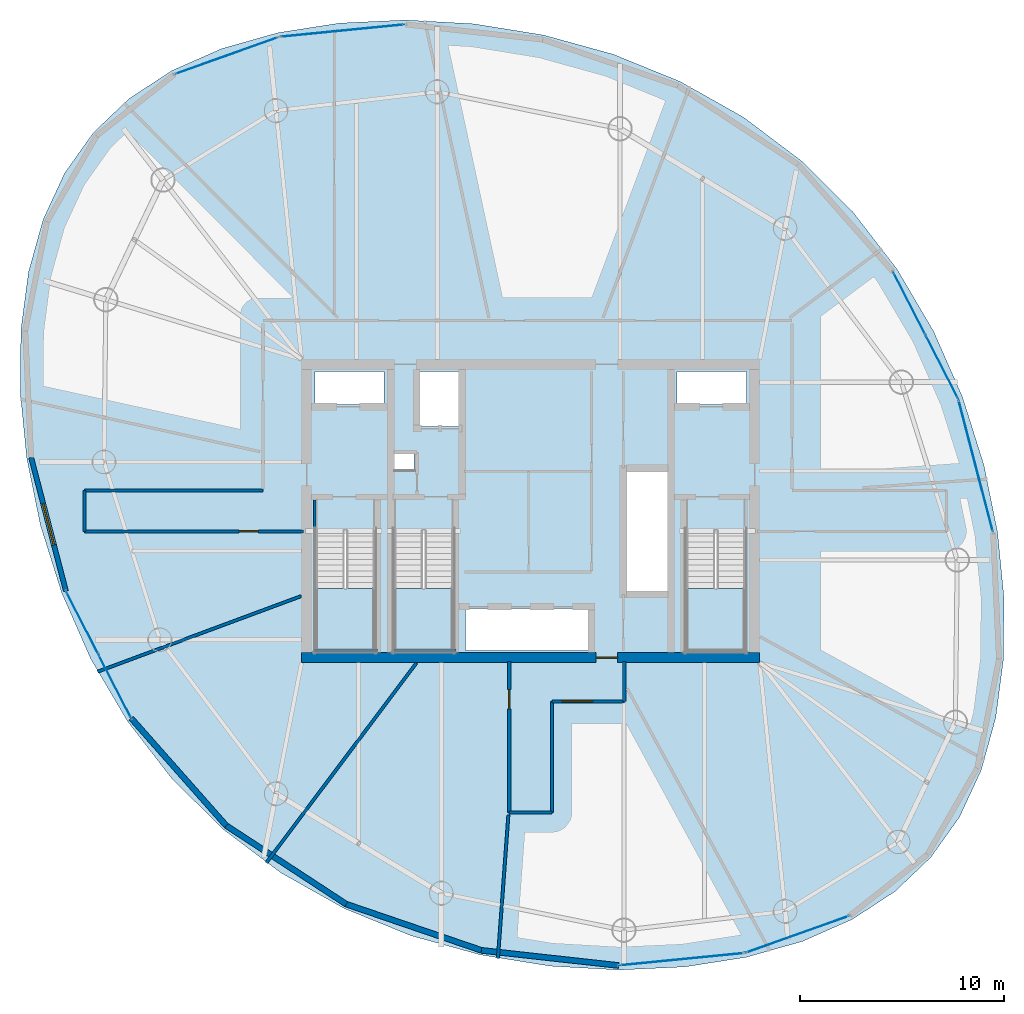
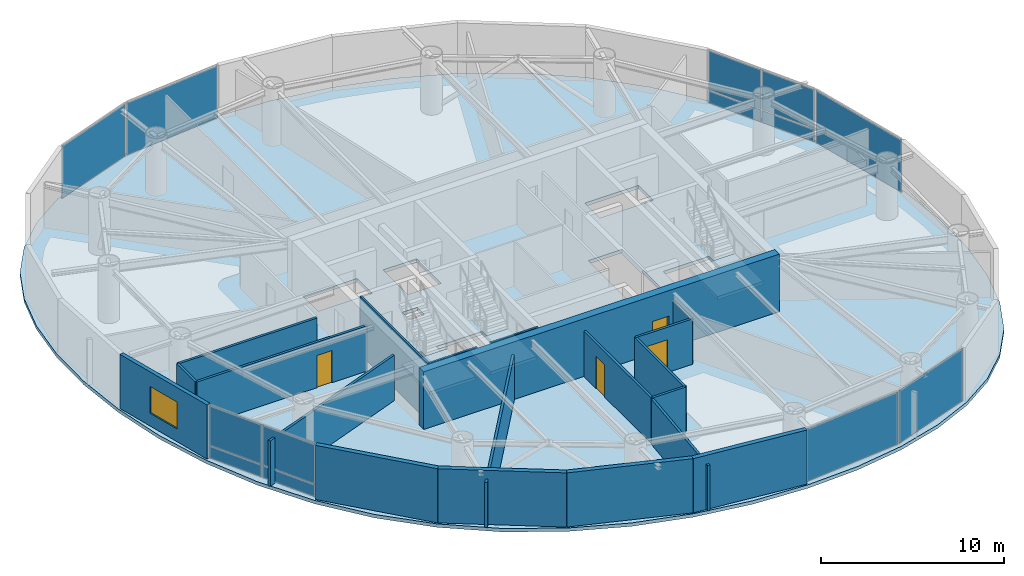
# One storey, part 17 of 23: 20 walls, 13 plates, 4 doors, 4 slabs, 1 window, 5 openings, 10 elements without a shape of their own.
"""IFC4 building model written with IfcOpenShell, lengths in metres."""

from ifc_helpers import new_model, si_unit, direction, frame, frame_2d, origin, origin_2d, place, context, subcontext, project, spatial, polyline, rectangle, outline, extrude, material, layer, layer_set, type_object, element, fill, aggregate, save


model = new_model("IFC4")

# Units and contexts
model_context = context("Model", 3, precision=1e-05, world=origin(), true_north=direction((0.0, 1.0)))
body_context = subcontext(model_context, "Body", "Model", "MODEL_VIEW")
ifc_project = project(units=[si_unit("LENGTHUNIT", "METRE"), si_unit("AREAUNIT", "SQUARE_METRE"), si_unit("VOLUMEUNIT", "CUBIC_METRE"), si_unit("PLANEANGLEUNIT", "RADIAN"), si_unit("MASSUNIT", "GRAM", prefix="KILO")], contexts=[model_context])

# Site, building, storey
site_placement = place(None, origin())
site = spatial("IfcSite", under=ifc_project, at=site_placement, CompositionType="ELEMENT")
building_placement = place(site_placement, origin())
building = spatial("IfcBuilding", under=site, at=building_placement, Name="Bramvorn Convention Spire", CompositionType="ELEMENT")
storey_placement = place(building_placement, frame((0.0, 0.0, 194.300048828125)))
storey = spatial("IfcBuildingStorey", under=building, at=storey_placement, Name="L49", CompositionType="ELEMENT", Elevation=194.300048828125)

# Curtain wall, plate
ifc_material_1 = material(Name="Anodised Bronze Unitised Curtain Wall", Category="aluminium")
ifc_layer_1 = layer(ifc_material_1, 0.179931640625)
ifc_layer_set_1 = layer_set([ifc_layer_1], Name="Anodised Bronze Unitised Curtain Wall - CW-OFF-FRIT")
curtain_wall_type = type_object("IfcCurtainWallType", Name="CW-OFF-FRIT", PredefinedType="USERDEFINED", material=ifc_layer_set_1)
curtain_wall_1_placement = place(storey_placement, origin())
curtain_wall_1 = element("IfcCurtainWall", 1, at=curtain_wall_1_placement, inside=storey, type_object=curtain_wall_type, Name="L49 fritted glass curtain wall 04", ObjectType="UNITISED CURTAIN WALL", PredefinedType="USERDEFINED")
ifc_material_2 = material(Name="Laminated Low-E Glass (Triple IGU Solar Bronze Frit 28%)", Category="glass")
ifc_layer_2 = layer(ifc_material_2, 0.0400390625)
ifc_layer_set_2 = layer_set([ifc_layer_2], Name="Laminated Low-E Glass (Triple IGU Solar Bronze Frit 28%) - PNL-IGU-3")
plate_type = type_object("IfcPlateType", Name="PNL-IGU-3", PredefinedType="CURTAIN_PANEL", material=ifc_layer_set_2)
plate_1_placement = place(storey_placement, frame((59.86279296875, 28.22265625, 0.06005859375), z_axis=(0.0, 0.0, 1.0), x_axis=(0.252030067635, -0.967719404067, 0.0)))
plate_1 = element("IfcPlate", 2, at=plate_1_placement, type_object=plate_type, Name="CW3 panel 1.1", PredefinedType="CURTAIN_PANEL", context=body_context, shape_type="SweptSolid", body=[
    extrude(rectangle(XDim=6.66455078125, YDim=0.028076171875, at=origin_2d()), origin(), (0.0, 0.0, 1.0), 3.5),
])
aggregate(curtain_wall_1, [plate_1])

# Curtain wall, plates
curtain_wall_2_placement = place(storey_placement, origin())
curtain_wall_2 = element("IfcCurtainWall", 3, at=curtain_wall_2_placement, inside=storey, type_object=curtain_wall_type, Name="L49 fritted glass curtain wall 05", ObjectType="UNITISED CURTAIN WALL", PredefinedType="USERDEFINED")
plate_2_placement = place(storey_placement, frame((56.6123046875, 36.1748046875, 0.059814453125), z_axis=(0.0, 0.0, 1.0), x_axis=(0.456463315505, -0.889742233233, 0.0)))
plate_2 = element("IfcPlate", 4, at=plate_2_placement, type_object=plate_type, Name="CW3 panel 1.1", PredefinedType="CURTAIN_PANEL", context=body_context, shape_type="SweptSolid", body=[
    extrude(rectangle(XDim=3.4189453125, YDim=0.028076171875, at=origin_2d()), origin(), (0.0, 0.0, 1.0), 0.81005859375),
])
plate_3_placement = place(storey_placement, frame((56.6123046875, 36.1748046875, 0.929931640625), z_axis=(0.0, 0.0, 1.0), x_axis=(0.456463315505, -0.889742233233, 0.0)))
plate_3 = element("IfcPlate", 5, at=plate_3_placement, type_object=plate_type, Name="CW3 panel 1.2", PredefinedType="CURTAIN_PANEL", context=body_context, shape_type="SweptSolid", body=[
    extrude(rectangle(XDim=3.4189453125, YDim=0.028076171875, at=origin_2d()), origin(), (0.0, 0.0, 1.0), 2.6298828125),
])
plate_4_placement = place(storey_placement, frame((58.2001953125, 33.07958984375, 0.059814453125), z_axis=(0.0, 0.0, 1.0), x_axis=(0.456463315505, -0.889742233233, 0.0)))
plate_4 = element("IfcPlate", 6, at=plate_4_placement, type_object=plate_type, Name="CW3 panel 2.1", PredefinedType="CURTAIN_PANEL", context=body_context, shape_type="SweptSolid", body=[
    extrude(rectangle(XDim=3.4189453125, YDim=0.028076171875, at=origin_2d()), origin(), (0.0, 0.0, 1.0), 0.81005859375),
])
plate_5_placement = place(storey_placement, frame((58.2001953125, 33.07958984375, 0.929931640625), z_axis=(0.0, 0.0, 1.0), x_axis=(0.456463315505, -0.889742233233, 0.0)))
plate_5 = element("IfcPlate", 7, at=plate_5_placement, type_object=plate_type, Name="CW3 panel 2.2", PredefinedType="CURTAIN_PANEL", context=body_context, shape_type="SweptSolid", body=[
    extrude(rectangle(XDim=3.4189453125, YDim=0.028076171875, at=origin_2d()), origin(), (0.0, 0.0, 1.0), 2.6298828125),
])
aggregate(curtain_wall_2, [plate_2, plate_3, plate_4, plate_5])

# Curtain wall, plate
curtain_wall_3_placement = place(storey_placement, origin())
curtain_wall_3 = element("IfcCurtainWall", 8, at=curtain_wall_3_placement, inside=storey, type_object=curtain_wall_type, Name="L49 fritted glass curtain wall 10", ObjectType="UNITISED CURTAIN WALL", PredefinedType="USERDEFINED")
plate_6_placement = place(storey_placement, frame((28.7578125, 49.59130859375, 0.06005859375), z_axis=(0.0, 0.0, 1.0), x_axis=(0.995176612418, 0.098099490805, 0.0)))
plate_6 = element("IfcPlate", 9, at=plate_6_placement, type_object=plate_type, Name="CW3 panel 1.1", PredefinedType="CURTAIN_PANEL", context=body_context, shape_type="SweptSolid", body=[
    extrude(rectangle(XDim=6.1064453125, YDim=0.028076171875, at=origin_2d()), origin(), (0.0, 0.0, 1.0), 3.5),
])
aggregate(curtain_wall_3, [plate_6])

curtain_wall_4_placement = place(storey_placement, origin())
curtain_wall_4 = element("IfcCurtainWall", 10, at=curtain_wall_4_placement, inside=storey, type_object=curtain_wall_type, Name="L49 fritted glass curtain wall 11", ObjectType="UNITISED CURTAIN WALL", PredefinedType="USERDEFINED")
plate_7_placement = place(storey_placement, frame((23.085693359375, 48.369384765625, 0.06005859375), z_axis=(0.0, 0.0, 1.0), x_axis=(0.942083817347, 0.335377520257, 0.0)))
plate_7 = element("IfcPlate", 11, at=plate_7_placement, type_object=plate_type, Name="CW3 panel 1.1", PredefinedType="CURTAIN_PANEL", context=body_context, shape_type="SweptSolid", body=[
    extrude(rectangle(XDim=5.344482421875, YDim=0.028076171875, at=origin_2d()), origin(), (0.0, 0.0, 1.0), 3.5),
])
aggregate(curtain_wall_4, [plate_7])

# Curtain wall, plates
curtain_wall_5_placement = place(storey_placement, origin())
curtain_wall_5 = element("IfcCurtainWall", 12, at=curtain_wall_5_placement, inside=storey, type_object=curtain_wall_type, Name="L49 fritted glass curtain wall 17", ObjectType="UNITISED CURTAIN WALL", PredefinedType="USERDEFINED")
plate_8_placement = place(storey_placement, frame((17.572265625, 17.39501953125, 0.059814453125), z_axis=(0.0, 0.0, 1.0), x_axis=(-0.456474596119, 0.889736445864, 0.0)))
plate_8 = element("IfcPlate", 13, at=plate_8_placement, type_object=plate_type, Name="CW3 panel 1.1", PredefinedType="CURTAIN_PANEL", context=body_context, shape_type="SweptSolid", body=[
    extrude(rectangle(XDim=3.4189453125, YDim=0.028076171875, at=origin_2d()), origin(), (0.0, 0.0, 1.0), 0.81005859375),
])
plate_9_placement = place(storey_placement, frame((17.572265625, 17.39501953125, 0.929931640625), z_axis=(0.0, 0.0, 1.0), x_axis=(-0.456474596119, 0.889736445864, 0.0)))
plate_9 = element("IfcPlate", 14, at=plate_9_placement, type_object=plate_type, Name="CW3 panel 1.2", PredefinedType="CURTAIN_PANEL", context=body_context, shape_type="SweptSolid", body=[
    extrude(rectangle(XDim=3.4189453125, YDim=0.028076171875, at=origin_2d()), origin(), (0.0, 0.0, 1.0), 2.6298828125),
])
plate_10_placement = place(storey_placement, frame((15.984375, 20.490234375, 0.059814453125), z_axis=(0.0, 0.0, 1.0), x_axis=(-0.456474596119, 0.889736445864, 0.0)))
plate_10 = element("IfcPlate", 15, at=plate_10_placement, type_object=plate_type, Name="CW3 panel 2.1", PredefinedType="CURTAIN_PANEL", context=body_context, shape_type="SweptSolid", body=[
    extrude(rectangle(XDim=3.4189453125, YDim=0.028076171875, at=origin_2d()), origin(), (0.0, 0.0, 1.0), 0.81005859375),
])
plate_11_placement = place(storey_placement, frame((15.984375, 20.490234375, 0.929931640625), z_axis=(0.0, 0.0, 1.0), x_axis=(-0.456474596119, 0.889736445864, 0.0)))
plate_11 = element("IfcPlate", 16, at=plate_11_placement, type_object=plate_type, Name="CW3 panel 2.2", PredefinedType="CURTAIN_PANEL", context=body_context, shape_type="SweptSolid", body=[
    extrude(rectangle(XDim=3.4189453125, YDim=0.028076171875, at=origin_2d()), origin(), (0.0, 0.0, 1.0), 2.6298828125),
])
aggregate(curtain_wall_5, [plate_8, plate_9, plate_10, plate_11])

# Curtain wall, plate
curtain_wall_6_placement = place(storey_placement, origin())
curtain_wall_6 = element("IfcCurtainWall", 17, at=curtain_wall_6_placement, inside=storey, type_object=curtain_wall_type, Name="L49 fritted glass curtain wall 22", ObjectType="UNITISED CURTAIN WALL", PredefinedType="USERDEFINED")
plate_12_placement = place(storey_placement, frame((45.4267578125, 3.978515625, 0.06005859375), z_axis=(0.0, 0.0, 1.0), x_axis=(-0.995176612418, -0.098099490805, 0.0)))
plate_12 = element("IfcPlate", 18, at=plate_12_placement, type_object=plate_type, Name="CW3 panel 1.1", PredefinedType="CURTAIN_PANEL", context=body_context, shape_type="SweptSolid", body=[
    extrude(rectangle(XDim=6.1064453125, YDim=0.028076171875, at=origin_2d()), origin(), (0.0, 0.0, 1.0), 3.5),
])
aggregate(curtain_wall_6, [plate_12])

curtain_wall_7_placement = place(storey_placement, origin())
curtain_wall_7 = element("IfcCurtainWall", 19, at=curtain_wall_7_placement, inside=storey, type_object=curtain_wall_type, Name="L49 fritted glass curtain wall 23", ObjectType="UNITISED CURTAIN WALL", PredefinedType="USERDEFINED")
plate_13_placement = place(storey_placement, frame((51.098876953125, 5.200439453125, 0.06005859375), z_axis=(0.0, 0.0, 1.0), x_axis=(-0.942081758984, -0.335383302194, 0.0)))
plate_13 = element("IfcPlate", 20, at=plate_13_placement, type_object=plate_type, Name="CW3 panel 1.1", PredefinedType="CURTAIN_PANEL", context=body_context, shape_type="SweptSolid", body=[
    extrude(rectangle(XDim=5.344482421875, YDim=0.028076171875, at=origin_2d()), origin(), (0.0, 0.0, 1.0), 3.5),
])
aggregate(curtain_wall_7, [plate_13])

# Stair, slab
ifc_material_3 = material(Name="Concrete C40/50 Precast Stair", Category="concrete")
stair_type = type_object("IfcStairType", Name="ST-TOWER-1550", PredefinedType="HALF_TURN_STAIR", material=ifc_material_3)
stair_1_placement = place(storey_placement, origin())
stair_1 = element("IfcStair", 21, at=stair_1_placement, inside=storey, type_object=stair_type, Name="L49 Protected Exit Stair ST1", PredefinedType="HALF_TURN_STAIR")
ifc_material_4 = material(Name="Concrete C40/50 Stair Landing", Category="concrete")
ifc_layer_3 = layer(ifc_material_4, 0.219970703125)
ifc_layer_set_3 = layer_set([ifc_layer_3], Name="Concrete C40/50 Stair Landing - SLB-STAIR-LANDING")
slab_type_1 = type_object("IfcSlabType", Name="SLB-STAIR-LANDING", PredefinedType="LANDING", material=ifc_layer_set_3)
slab_1_placement = place(storey_placement, frame((0.0, 0.0, 1.724853515625)))
slab_1 = element("IfcSlab", 22, at=slab_1_placement, type_object=slab_type_1, Name="ST1 landing 1", PredefinedType="LANDING", context=body_context, shape_type="SweptSolid", body=[
    extrude(outline(polyline([(27.449951171875, 22.199951171875), (27.449951171875, 19.10009765625), (30.35009765625, 19.10009765625), (30.35009765625, 22.199951171875), (27.449951171875, 22.199951171875)])), origin(), (0.0, 0.0, 1.0), 0.2001953125),
])
aggregate(stair_1, [slab_1])

stair_2_placement = place(storey_placement, origin())
stair_2 = element("IfcStair", 23, at=stair_2_placement, inside=storey, type_object=stair_type, Name="L49 Protected Exit Stair ST2", PredefinedType="HALF_TURN_STAIR")
slab_2_placement = place(storey_placement, frame((0.0, 0.0, 1.724853515625)))
slab_2 = element("IfcSlab", 24, at=slab_2_placement, type_object=slab_type_1, Name="ST2 landing 1", PredefinedType="LANDING", context=body_context, shape_type="SweptSolid", body=[
    extrude(outline(polyline([(45.64990234375, 22.199951171875), (45.64990234375, 19.10009765625), (48.550048828125, 19.10009765625), (48.550048828125, 22.199951171875), (45.64990234375, 22.199951171875)])), origin(), (0.0, 0.0, 1.0), 0.2001953125),
])
aggregate(stair_2, [slab_2])

stair_3_placement = place(storey_placement, origin())
stair_3 = element("IfcStair", 25, at=stair_3_placement, inside=storey, type_object=stair_type, Name="L49 Protected Exit Stair ST3", PredefinedType="HALF_TURN_STAIR")
slab_3_placement = place(storey_placement, frame((0.0, 0.0, 1.724853515625)))
slab_3 = element("IfcSlab", 26, at=slab_3_placement, type_object=slab_type_1, Name="ST3 landing 1", PredefinedType="LANDING", context=body_context, shape_type="SweptSolid", body=[
    extrude(outline(polyline([(31.300048828125, 22.199951171875), (31.300048828125, 19.10009765625), (34.199951171875, 19.10009765625), (34.199951171875, 22.199951171875), (31.300048828125, 22.199951171875)])), origin(), (0.0, 0.0, 1.0), 0.2001953125),
])
aggregate(stair_3, [slab_3])

# Slab
ifc_material_5 = material(Name="Concrete C40/50", Category="concrete")
ifc_layer_4 = layer(ifc_material_5, 0.22998046875)
ifc_layer_set_4 = layer_set([ifc_layer_4], Name="Concrete C40/50 - SLB-Z3-230")
slab_type_2 = type_object("IfcSlabType", Name="SLB-Z3-230", PredefinedType="FLOOR", material=ifc_layer_set_4)
slab_4_placement = place(storey_placement, frame((0.0, 0.0, -0.22998046875)))
element("IfcSlab", 27, at=slab_4_placement, inside=storey, type_object=slab_type_2, Name="L49 tower floor slab", PredefinedType="FLOOR", context=body_context, shape_type="SweptSolid", body=[
    extrude(outline(polyline([(57.6669921875, 8.993896484375), (59.074462890625, 10.977294921875), (60.1328125, 13.2626953125), (60.847412109375, 15.83740234375), (61.22119140625, 18.67529296875), (61.2529296875, 21.734375), (60.937255859375, 24.955810546875), (60.263671875, 28.266357421875), (59.220703125, 31.583251953125), (57.79931640625, 34.818115234375), (55.996337890625, 37.8837890625), (53.819580078125, 40.70166015625), (51.291015625, 43.205322265625), (48.448486328125, 45.345947265625), (45.345947265625, 47.093017578125), (42.052001953125, 48.4345703125), (38.64599609375, 49.374267578125), (35.21337890625, 49.927490234375), (31.840087890625, 50.115966796875), (28.60693359375, 49.96337890625), (25.584716796875, 49.490234375), (22.830078125, 48.7109375), (20.385498046875, 47.632080078125), (18.277099609375, 46.2548828125), (16.517578125, 44.575927734375), (15.110107421875, 42.592529296875), (14.0517578125, 40.30712890625), (13.337158203125, 37.732421875), (12.96337890625, 34.894287109375), (12.931640625, 31.83544921875), (13.247314453125, 28.614013671875), (13.9208984375, 25.303466796875), (14.9638671875, 21.986572265625), (16.38525390625, 18.751708984375), (18.188232421875, 15.68603515625), (20.364990234375, 12.8681640625), (22.8935546875, 10.364501953125), (25.736083984375, 8.223876953125), (28.838623046875, 6.476806640625), (32.132568359375, 5.13525390625), (35.53857421875, 4.195556640625), (38.97119140625, 3.642333984375), (42.344482421875, 3.453857421875), (45.57763671875, 3.606201171875), (48.60009765625, 4.07958984375), (51.354248046875, 4.85888671875), (53.799072265625, 5.9375), (55.90771484375, 7.31494140625), (57.6669921875, 8.993896484375)]), holes=[polyline([(27.449951171875, 25.050048828125), (27.449951171875, 19.10009765625), (30.35009765625, 19.10009765625), (30.35009765625, 25.050048828125), (27.449951171875, 25.050048828125)]), polyline([(45.64990234375, 25.050048828125), (45.64990234375, 19.10009765625), (48.550048828125, 19.10009765625), (48.550048828125, 25.050048828125), (45.64990234375, 25.050048828125)]), polyline([(31.300048828125, 25.050048828125), (31.300048828125, 19.10009765625), (34.199951171875, 19.10009765625), (34.199951171875, 25.050048828125), (31.300048828125, 25.050048828125)]), polyline([(27.39990234375, 31.219970703125), (30.800048828125, 31.219970703125), (30.800048828125, 32.85009765625), (27.39990234375, 32.85009765625), (27.39990234375, 31.219970703125)]), polyline([(45.199951171875, 31.219970703125), (48.60009765625, 31.219970703125), (48.60009765625, 32.85009765625), (45.199951171875, 32.85009765625), (45.199951171875, 31.219970703125)]), polyline([(32.449951171875, 30.14990234375), (34.56005859375, 30.14990234375), (34.56005859375, 32.85009765625), (32.449951171875, 32.85009765625), (32.449951171875, 30.14990234375)]), polyline([(34.800048828125, 19.14990234375), (40.97998046875, 19.14990234375), (40.97998046875, 21.199951171875), (34.800048828125, 21.199951171875), (34.800048828125, 19.14990234375)]), polyline([(42.6201171875, 22.0), (44.75, 22.0), (44.75, 28.0), (42.6201171875, 28.0), (42.6201171875, 22.0)]), polyline([(31.320068359375, 28.02001953125), (32.280029296875, 28.02001953125), (32.280029296875, 28.820068359375), (31.320068359375, 28.820068359375), (31.320068359375, 28.02001953125)])]), origin(), (0.0, 0.0, 1.0), 0.22998046875),
])

# Wall, opening, door
ifc_material_6 = material(Name="Concrete C50/60", Category="concrete")
ifc_layer_5 = layer(ifc_material_6, 0.5)
ifc_layer_set_5 = layer_set([ifc_layer_5], Name="Concrete C50/60 - WL-CORE-500")
wall_type_1 = type_object("IfcWallType", Name="WL-CORE-500", PredefinedType="SHEAR", material=ifc_layer_set_5)
wall_1_placement = place(storey_placement, frame((26.75, 18.800048828125, 0.0), z_axis=(0.0, 0.0, 1.0), x_axis=(1.0, 0.0, 0.0)))
wall_1 = element("IfcWall", 28, at=wall_1_placement, inside=storey, type_object=wall_type_1, Name="L49 South RC core shear wall", PredefinedType="SHEAR", context=body_context, shape_type="SweptSolid", body=[
    extrude(rectangle(XDim=22.5, YDim=0.5, at=frame_2d((11.25, 0.0))), origin(), (0.0, 0.0, 1.0), 3.849853515625),
])
opening_1_placement = place(wall_1_placement, frame((14.469970703125, 0.0, 0.0)))
opening_1 = element("IfcOpeningElement", 29, at=opening_1_placement, cuts=wall_1, Name="Opening DL-105", PredefinedType="OPENING", context=body_context, shape_type="SweptSolid", body=[
    extrude(rectangle(XDim=1.050048828125, YDim=2.14990234375, at=frame_2d((0.52490234375, 1.074951171875))), frame((0.0, 0.260009765625, 0.0), z_axis=(0.0, -1.0, 0.0), x_axis=(1.0, 0.0, 0.0)), (0.0, 0.0, 1.0), 0.52001953125),
])
ifc_material_7 = material(Name="Smoke-Sealed Fire Lobby Timber-Core Door", Category="wood")
door_type_1 = type_object("IfcDoorType", Name="DR-LOBBY-1050", OperationType="NOTDEFINED", PredefinedType="DOOR", material=ifc_material_7)
door_1_placement = place(opening_1_placement, origin())
door_1 = element("IfcDoor", 30, at=door_1_placement, inside=storey, type_object=door_type_1, Name="L49 South Lift Lobby fire door", OperationType="SINGLE_SWING_RIGHT", OverallHeight=2.14990234375, OverallWidth=1.050048828125, PredefinedType="DOOR", context=body_context, shape_type="SweptSolid", body=[
    extrude(rectangle(XDim=1.050048828125, YDim=2.14990234375, at=frame_2d((0.52490234375, 1.074951171875))), frame((0.0, 0.02490234375, 0.0), z_axis=(0.0, -1.0, 0.0), x_axis=(1.0, 0.0, 0.0)), (0.0, 0.0, 1.0), 0.050048828125),
])
fill(opening_1, door_1)

# Wall, opening, window
ifc_material_8 = material(Name="Precast Concrete C40/50 with Bronze Terracotta Rainscreen", Category="masonry")
ifc_layer_6 = layer(ifc_material_8, 0.300048828125)
ifc_layer_set_6 = layer_set([ifc_layer_6], Name="Precast Concrete C40/50 with Bronze Terracotta Rainscreen - WL-EXT-BRONZE-300")
wall_type_2 = type_object("IfcWallType", Name="WL-EXT-BRONZE-300", PredefinedType="SOLIDWALL", material=ifc_layer_set_6)
wall_2_placement = place(storey_placement, frame((15.176513671875, 22.064453125, 0.0), z_axis=(0.0, 0.0, 1.0), x_axis=(-0.252007306882, 0.967725331526, 0.0)))
wall_2 = element("IfcWall", 31, at=wall_2_placement, inside=storey, type_object=wall_type_2, Name="L49 bronze ceramic-frit spandrel & operable window bay 16", PredefinedType="SOLIDWALL", context=body_context, shape_type="SweptSolid", body=[
    extrude(rectangle(XDim=6.784423828125, YDim=0.239990234375, at=frame_2d((3.39208984375, 0.0))), origin(), (0.0, 0.0, 1.0), 3.619873046875),
])
opening_2_placement = place(wall_2_placement, frame((2.34228515625, 0.0, 0.85009765625)))
opening_2 = element("IfcOpeningElement", 32, at=opening_2_placement, cuts=wall_2, Name="Opening WN04", PredefinedType="OPENING", context=body_context, shape_type="SweptSolid", body=[
    extrude(rectangle(XDim=2.10009765625, YDim=1.800048828125, at=frame_2d((1.050048828125, 0.89990234375))), frame((0.0, 0.1298828125, 0.0), z_axis=(0.0, -1.0, 0.0), x_axis=(1.0, 0.0, 0.0)), (0.0, 0.0, 1.0), 0.260009765625),
])
ifc_material_9 = material(Name="Thermally Broken Bronze Aluminium & Triple Low-E Glass", Category="aluminium")
window_type = type_object("IfcWindowType", Name="WN-OP-2100X1800", PartitioningType="SINGLE_PANEL", PredefinedType="WINDOW", material=ifc_material_9)
window_placement = place(opening_2_placement, origin())
window = element("IfcWindow", 33, at=window_placement, inside=storey, type_object=window_type, Name="L49 operable parallel-vent window 16", OverallHeight=1.800048828125, OverallWidth=2.10009765625, PartitioningType="SINGLE_PANEL", PredefinedType="WINDOW", context=body_context, shape_type="SweptSolid", body=[
    extrude(rectangle(XDim=2.10009765625, YDim=1.800048828125, at=frame_2d((1.050048828125, 0.89990234375))), frame((0.0, 0.030029296875, 0.0), z_axis=(0.0, -1.0, 0.0), x_axis=(1.0, 0.0, 0.0)), (0.0, 0.0, 1.0), 0.06005859375),
])
fill(opening_2, window)

# Walls
wall_3_placement = place(storey_placement, frame((23.048828125, 10.544189453125, 0.0), z_axis=(0.0, 0.0, 1.0), x_axis=(-0.662684531264, 0.748898666058, 0.0)))
element("IfcWall", 34, at=wall_3_placement, inside=storey, type_object=wall_type_2, Name="L49 expressed bronze Gothic lancet pier wall 18", PredefinedType="SOLIDWALL", context=body_context, shape_type="SweptSolid", body=[
    extrude(rectangle(XDim=7.04541015625, YDim=0.280029296875, at=frame_2d((3.522705078125, 0.0))), origin(), (0.0, 0.0, 1.0), 3.619873046875),
])
wall_4_placement = place(storey_placement, frame((28.944091796875, 6.685791015625, 0.0), z_axis=(0.0, 0.0, 1.0), x_axis=(-0.836722302194, 0.547627418059, 0.0)))
element("IfcWall", 35, at=wall_4_placement, inside=storey, type_object=wall_type_2, Name="L49 expressed bronze Gothic lancet pier wall 19", PredefinedType="SOLIDWALL", context=body_context, shape_type="SweptSolid", body=[
    extrude(rectangle(XDim=7.045654296875, YDim=0.280029296875, at=frame_2d((3.52294921875, 0.0))), origin(), (0.0, 0.0, 1.0), 3.619873046875),
])
wall_5_placement = place(storey_placement, frame((35.5849609375, 4.41748046875, 0.0), z_axis=(0.0, 0.0, 1.0), x_axis=(-0.946319491837, 0.323232763452, 0.0)))
element("IfcWall", 36, at=wall_5_placement, inside=storey, type_object=wall_type_2, Name="L49 expressed bronze Gothic lancet pier wall 20", PredefinedType="SOLIDWALL", context=body_context, shape_type="SweptSolid", body=[
    extrude(rectangle(XDim=7.017578125, YDim=0.280029296875, at=frame_2d((3.5087890625, 0.0))), origin(), (0.0, 0.0, 1.0), 3.619873046875),
])
wall_6_placement = place(storey_placement, frame((42.32861328125, 3.673095703125, 0.0), z_axis=(0.0, 0.0, 1.0), x_axis=(-0.993962906712, 0.109716635384, 0.0)))
element("IfcWall", 37, at=wall_6_placement, inside=storey, type_object=wall_type_2, Name="L49 expressed bronze Gothic lancet pier wall 21", PredefinedType="SOLIDWALL", context=body_context, shape_type="SweptSolid", body=[
    extrude(rectangle(XDim=6.78466796875, YDim=0.280029296875, at=frame_2d((3.392333984375, 0.0))), origin(), (0.0, 0.0, 1.0), 3.619873046875),
])
ifc_material_10 = material(Name="Acoustic Metal-Stud Tenant/Corridor Partition", Category="gypsum")
ifc_layer_7 = layer(ifc_material_10, 0.14990234375)
ifc_layer_set_7 = layer_set([ifc_layer_7], Name="Acoustic Metal-Stud Tenant/Corridor Partition - WL-PART-150")
wall_type_3 = type_object("IfcWallType", Name="WL-PART-150", PredefinedType="PARTITIONING", material=ifc_layer_set_7)
wall_7_placement = place(storey_placement, frame((16.087646484375, 27.0, 0.0), z_axis=(0.0, 0.0, 1.0), x_axis=(1.0, 0.0, 0.0)))
element("IfcWall", 38, at=wall_7_placement, inside=storey, type_object=wall_type_3, Name="L49 West wing spine north wall", PredefinedType="PARTITIONING", context=body_context, shape_type="SweptSolid", body=[
    extrude(rectangle(XDim=8.762451171875, YDim=0.14990234375, at=frame_2d((4.38134765625, 0.0))), origin(), (0.0, 0.0, 1.0), 3.034912109375),
])

# Wall, opening, door
wall_8_placement = place(storey_placement, frame((16.087646484375, 25.0, 0.0), z_axis=(0.0, 0.0, 1.0), x_axis=(1.0, 0.0, 0.0)))
wall_8 = element("IfcWall", 39, at=wall_8_placement, inside=storey, type_object=wall_type_3, Name="L49 West wing spine south wall", PredefinedType="PARTITIONING", context=body_context, shape_type="SweptSolid", body=[
    extrude(rectangle(XDim=10.762451171875, YDim=0.14990234375, at=frame_2d((5.38134765625, 0.0))), origin(), (0.0, 0.0, 1.0), 3.034912109375),
])
opening_3_placement = place(wall_8_placement, frame((7.5966796875, 0.0, 0.0)))
opening_3 = element("IfcOpeningElement", 40, at=opening_3_placement, cuts=wall_8, Name="Opening DH-095", PredefinedType="OPENING", context=body_context, shape_type="SweptSolid", body=[
    extrude(rectangle(XDim=0.949951171875, YDim=2.14990234375, at=frame_2d((0.47509765625, 1.074951171875))), frame((0.0, 0.0849609375, 0.0), z_axis=(0.0, -1.0, 0.0), x_axis=(1.0, 0.0, 0.0)), (0.0, 0.0, 1.0), 0.169921875),
])
ifc_material_11 = material(Name="Solid-Core Acoustic Guestroom Entry Door", Category="wood")
door_type_2 = type_object("IfcDoorType", Name="DR-HOTEL-950", OperationType="NOTDEFINED", PredefinedType="DOOR", material=ifc_material_11)
door_2_placement = place(opening_3_placement, origin())
door_2 = element("IfcDoor", 41, at=door_2_placement, inside=storey, type_object=door_type_2, Name="L49 Partner Private Office 3 6 door", OperationType="SINGLE_SWING_LEFT", OverallHeight=2.14990234375, OverallWidth=0.949951171875, PredefinedType="DOOR", context=body_context, shape_type="SweptSolid", body=[
    extrude(rectangle(XDim=0.949951171875, YDim=2.14990234375, at=frame_2d((0.47509765625, 1.074951171875))), frame((0.0, 0.02490234375, 0.0), z_axis=(0.0, -1.0, 0.0), x_axis=(1.0, 0.0, 0.0)), (0.0, 0.0, 1.0), 0.050048828125),
])
fill(opening_3, door_2)

# Wall
wall_9_placement = place(storey_placement, frame((16.087646484375, 25.0, 0.0), z_axis=(0.0, 0.0, 1.0), x_axis=(0.0, 1.0, 0.0)))
element("IfcWall", 42, at=wall_9_placement, inside=storey, type_object=wall_type_3, Name="L49 West wing spine end wall", PredefinedType="PARTITIONING", context=body_context, shape_type="SweptSolid", body=[
    extrude(rectangle(XDim=2.0, YDim=0.14990234375, at=frame_2d((1.0, 0.0))), origin(), (0.0, 0.0, 1.0), 3.034912109375),
])

# Wall, opening, door
wall_10_placement = place(storey_placement, frame((36.949951171875, 11.199951171875, 0.0), z_axis=(0.0, 0.0, 1.0), x_axis=(0.0, 1.0, 0.0)))
wall_10 = element("IfcWall", 43, at=wall_10_placement, inside=storey, type_object=wall_type_3, Name="L49 South axial spine west wall", PredefinedType="PARTITIONING", context=body_context, shape_type="SweptSolid", body=[
    extrude(rectangle(XDim=7.400146484375, YDim=0.14990234375, at=frame_2d((3.7001953125, 0.0))), origin(), (0.0, 0.0, 1.0), 3.034912109375),
])
opening_4_placement = place(wall_10_placement, frame((5.074951171875, 0.0, 0.0)))
opening_4 = element("IfcOpeningElement", 44, at=opening_4_placement, cuts=wall_10, Name="Opening DH-095", PredefinedType="OPENING", context=body_context, shape_type="SweptSolid", body=[
    extrude(rectangle(XDim=0.949951171875, YDim=2.14990234375, at=frame_2d((0.47509765625, 1.074951171875))), frame((0.0, 0.0849609375, 0.0), z_axis=(0.0, -1.0, 0.0), x_axis=(1.0, 0.0, 0.0)), (0.0, 0.0, 1.0), 0.169921875),
])
door_3_placement = place(opening_4_placement, origin())
door_3 = element("IfcDoor", 45, at=door_3_placement, inside=storey, type_object=door_type_2, Name="L49 Refreshment Kitchen 8 door", OperationType="SINGLE_SWING_RIGHT", OverallHeight=2.14990234375, OverallWidth=0.949951171875, PredefinedType="DOOR", context=body_context, shape_type="SweptSolid", body=[
    extrude(rectangle(XDim=0.949951171875, YDim=2.14990234375, at=frame_2d((0.47509765625, 1.074951171875))), frame((0.0, 0.02490234375, 0.0), z_axis=(0.0, -1.0, 0.0), x_axis=(1.0, 0.0, 0.0)), (0.0, 0.0, 1.0), 0.050048828125),
])
fill(opening_4, door_3)

# Wall
wall_11_placement = place(storey_placement, frame((39.050048828125, 11.199951171875, 0.0), z_axis=(0.0, 0.0, 1.0), x_axis=(0.0, 1.0, 0.0)))
element("IfcWall", 46, at=wall_11_placement, inside=storey, type_object=wall_type_3, Name="L49 South axial spine east wall", PredefinedType="PARTITIONING", context=body_context, shape_type="SweptSolid", body=[
    extrude(rectangle(XDim=5.449951171875, YDim=0.14990234375, at=frame_2d((2.72509765625, 0.0))), origin(), (0.0, 0.0, 1.0), 3.034912109375),
])

# Wall, opening, door
wall_12_placement = place(storey_placement, frame((39.050048828125, 16.64990234375, 0.0), z_axis=(0.0, 0.0, 1.0), x_axis=(1.0, 0.0, 0.0)))
wall_12 = element("IfcWall", 47, at=wall_12_placement, inside=storey, type_object=wall_type_3, Name="L49 South lift lobby link wall", PredefinedType="PARTITIONING", context=body_context, shape_type="SweptSolid", body=[
    extrude(rectangle(XDim=3.550048828125, YDim=0.14990234375, at=frame_2d((1.77490234375, 0.0))), origin(), (0.0, 0.0, 1.0), 3.034912109375),
])
opening_5_placement = place(wall_12_placement, frame((0.492431640625, 0.0, 0.0)))
opening_5 = element("IfcOpeningElement", 48, at=opening_5_placement, cuts=wall_12, Name="Opening DC-150", PredefinedType="OPENING", context=body_context, shape_type="SweptSolid", body=[
    extrude(rectangle(XDim=1.5, YDim=2.199951171875, at=frame_2d((0.75, 1.10009765625))), frame((0.0, 0.0849609375, 0.0), z_axis=(0.0, -1.0, 0.0), x_axis=(1.0, 0.0, 0.0)), (0.0, 0.0, 1.0), 0.169921875),
])
ifc_material_12 = material(Name="Double-Leaf Smoke-Control Corridor Door", Category="wood")
door_type_3 = type_object("IfcDoorType", Name="DR-COR-1500", OperationType="NOTDEFINED", PredefinedType="DOOR", material=ifc_material_12)
door_4_placement = place(opening_5_placement, origin())
door_4 = element("IfcDoor", 49, at=door_4_placement, inside=storey, type_object=door_type_3, Name="L49 Staff Dining Nook 9 door", OperationType="DOUBLE_DOOR_SINGLE_SWING", OverallHeight=2.199951171875, OverallWidth=1.5, PredefinedType="DOOR", context=body_context, shape_type="SweptSolid", body=[
    extrude(rectangle(XDim=1.5, YDim=2.199951171875, at=frame_2d((0.75, 1.10009765625))), frame((0.0, 0.02490234375, 0.0), z_axis=(0.0, -1.0, 0.0), x_axis=(1.0, 0.0, 0.0)), (0.0, 0.0, 1.0), 0.050048828125),
])
fill(opening_5, door_4)

# Walls
wall_13_placement = place(storey_placement, frame((42.60009765625, 16.64990234375, 0.0), z_axis=(0.0, 0.0, 1.0), x_axis=(0.0, 1.0, 0.0)))
element("IfcWall", 50, at=wall_13_placement, inside=storey, type_object=wall_type_3, Name="L49 South lift lobby east cheek", PredefinedType="PARTITIONING", context=body_context, shape_type="SweptSolid", body=[
    extrude(rectangle(XDim=1.9501953125, YDim=0.14990234375, at=frame_2d((0.97509765625, 0.0))), origin(), (0.0, 0.0, 1.0), 3.034912109375),
])
wall_14_placement = place(storey_placement, frame((36.949951171875, 11.199951171875, 0.0), z_axis=(0.0, 0.0, 1.0), x_axis=(1.0, 0.0, 0.0)))
element("IfcWall", 51, at=wall_14_placement, inside=storey, type_object=wall_type_3, Name="L49 South axial spine end wall", PredefinedType="PARTITIONING", context=body_context, shape_type="SweptSolid", body=[
    extrude(rectangle(XDim=2.10009765625, YDim=0.14990234375, at=frame_2d((1.050048828125, 0.0))), origin(), (0.0, 0.0, 1.0), 3.034912109375),
])
wall_15_placement = place(storey_placement, frame((26.72998046875, 21.81689453125, 0.0), z_axis=(0.0, 0.0, 1.0), x_axis=(-0.937498671768, -0.347988851018, 0.0)))
element("IfcWall", 52, at=wall_15_placement, inside=storey, type_object=wall_type_3, Name="L49 Tenant suite partition 7", PredefinedType="PARTITIONING", context=body_context, shape_type="SweptSolid", body=[
    extrude(rectangle(XDim=10.66748046875, YDim=0.14990234375, at=frame_2d((5.333740234375, 0.0))), origin(), (0.0, 0.0, 1.0), 3.034912109375),
])
wall_16_placement = place(storey_placement, frame((32.389404296875, 18.530029296875, 0.0), z_axis=(0.0, 0.0, 1.0), x_axis=(-0.600541177599, -0.799593830646, 0.0)))
element("IfcWall", 53, at=wall_16_placement, inside=storey, type_object=wall_type_3, Name="L49 Tenant suite partition 8", PredefinedType="PARTITIONING", context=body_context, shape_type="SweptSolid", body=[
    extrude(rectangle(XDim=12.267578125, YDim=0.14990234375, at=frame_2d((6.1337890625, 0.0))), origin(), (0.0, 0.0, 1.0), 3.034912109375),
])
wall_17_placement = place(storey_placement, frame((36.908203125, 11.06640625, 0.0), z_axis=(0.0, 0.0, 1.0), x_axis=(-0.072945430334, -0.997335933471, 0.0)))
element("IfcWall", 54, at=wall_17_placement, inside=storey, type_object=wall_type_3, Name="L49 Tenant suite partition 9", PredefinedType="PARTITIONING", context=body_context, shape_type="SweptSolid", body=[
    extrude(rectangle(XDim=7.05859375, YDim=0.14990234375, at=frame_2d((3.529296875, 0.0))), origin(), (0.0, 0.0, 1.0), 3.034912109375),
])
ifc_layer_8 = layer(ifc_material_6, 0.1201171875)
ifc_layer_set_8 = layer_set([ifc_layer_8], Name="Concrete C50/60 - WL-STAIR-RC-120")
wall_type_4 = type_object("IfcWallType", Name="WL-STAIR-RC-120", PredefinedType="SHEAR", material=ifc_layer_set_8)
wall_18_placement = place(storey_placement, frame((27.39501953125, 19.10009765625, 0.0), z_axis=(0.0, 0.0, 1.0), x_axis=(0.0, 1.0, 0.0)))
element("IfcWall", 55, at=wall_18_placement, inside=storey, type_object=wall_type_4, Name="L49 ST1 west bearing shear wall", PredefinedType="SHEAR", context=body_context, shape_type="SweptSolid", body=[
    extrude(rectangle(XDim=7.449951171875, YDim=0.1201171875, at=frame_2d((3.72509765625, 0.0))), origin(), (0.0, 0.0, 1.0), 3.849853515625),
])
wall_19_placement = place(storey_placement, frame((27.39501953125, 19.159912109375, 0.0), z_axis=(0.0, 0.0, 1.0), x_axis=(1.0, 0.0, 0.0)))
element("IfcWall", 56, at=wall_19_placement, inside=storey, type_object=wall_type_4, Name="L49 ST1 south bearing shear wall", PredefinedType="SHEAR", context=body_context, shape_type="SweptSolid", body=[
    extrude(rectangle(XDim=3.094970703125, YDim=0.1201171875, at=frame_2d((1.54736328125, 0.0))), origin(), (0.0, 0.0, 1.0), 3.849853515625),
])
wall_20_placement = place(storey_placement, frame((31.300048828125, 19.159912109375, 0.0), z_axis=(0.0, 0.0, 1.0), x_axis=(1.0, 0.0, 0.0)))
element("IfcWall", 57, at=wall_20_placement, inside=storey, type_object=wall_type_4, Name="L49 ST3 south bearing shear wall", PredefinedType="SHEAR", context=body_context, shape_type="SweptSolid", body=[
    extrude(rectangle(XDim=3.0400390625, YDim=0.1201171875, at=frame_2d((1.52001953125, 0.0))), origin(), (0.0, 0.0, 1.0), 3.849853515625),
])

save(model, "model.ifc")
